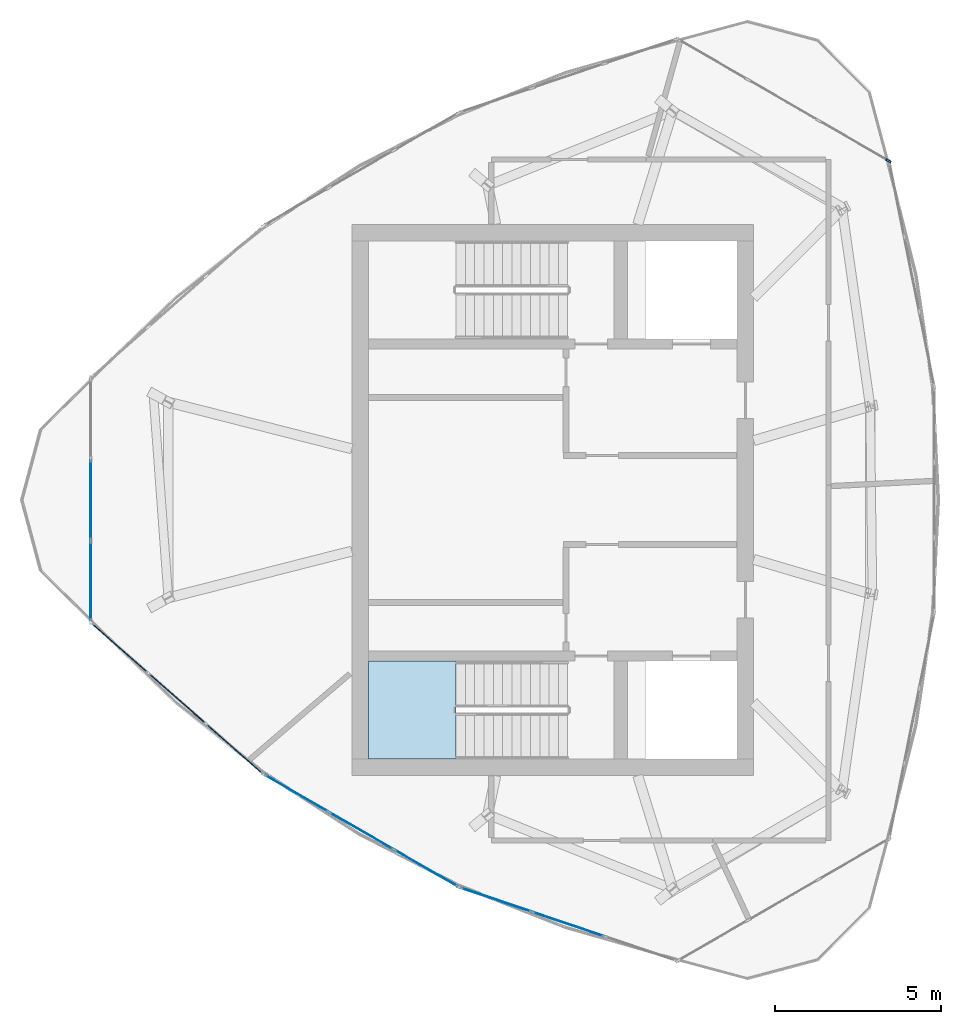
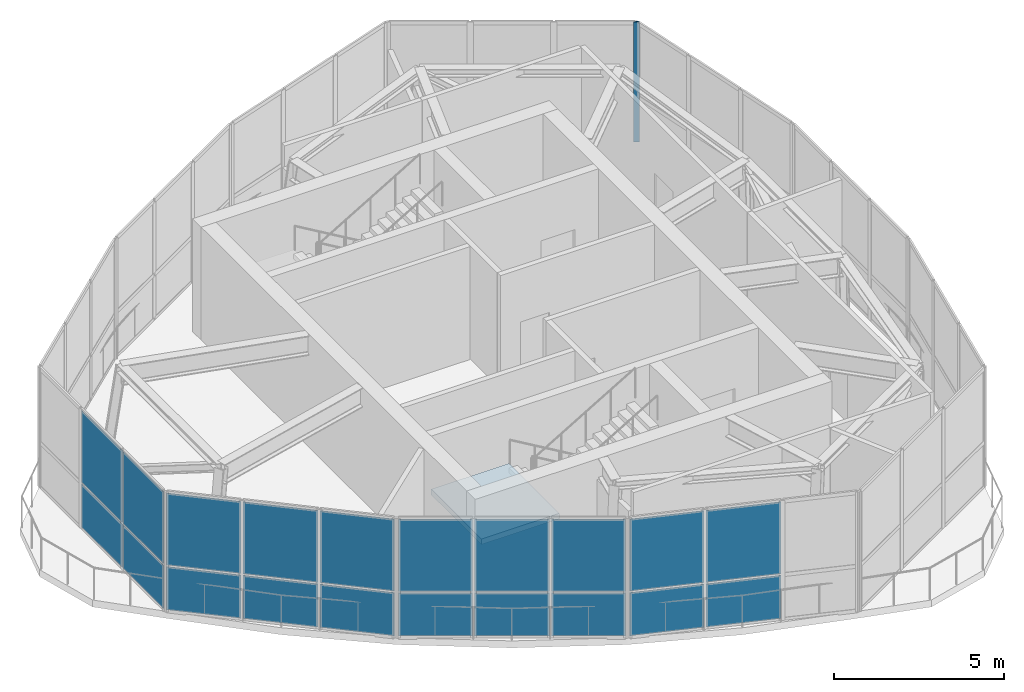
# One storey, part 5 of 10: 20 plates, 1 member, 1 slab, 6 elements without a shape of their own.
"""IFC4 building model written with IfcOpenShell, lengths in metres."""

from ifc_helpers import new_model, si_unit, direction, frame, origin, origin_2d, place, context, subcontext, project, spatial, polyline, rectangle, outline, extrude, source, transform, mapped, material, layer, layer_set, material_profile, profile_set, type_object, element, aggregate, save


model = new_model("IFC4")

# Units and contexts
model_context = context("Model", 3, precision=1e-05, world=origin(), true_north=direction((0.0, 1.0)))
body_context = subcontext(model_context, "Body", "Model", "MODEL_VIEW")
ifc_project = project(units=[si_unit("LENGTHUNIT", "METRE"), si_unit("AREAUNIT", "SQUARE_METRE"), si_unit("VOLUMEUNIT", "CUBIC_METRE"), si_unit("PLANEANGLEUNIT", "RADIAN"), si_unit("MASSUNIT", "GRAM", prefix="KILO")], contexts=[model_context])

# Site, building, storey
site_placement = place(None, origin())
site = spatial("IfcSite", under=ifc_project, at=site_placement, CompositionType="ELEMENT")
building_placement = place(site_placement, origin())
building = spatial("IfcBuilding", under=site, at=building_placement, Name="Qafzar Sky-Pleat Residences", CompositionType="ELEMENT")
storey_placement = place(building_placement, frame((0.0, 0.0, 270.39990234375)))
storey = spatial("IfcBuildingStorey", under=building, at=storey_placement, Name="L80 Crown", CompositionType="ELEMENT", Elevation=270.39990234375)

# Curtain wall, member
ifc_material_1 = material(Name="Anodised bronze aluminium framing", Category="aluminium")
ifc_layer_1 = layer(ifc_material_1, 0.179931640625)
ifc_layer_set_1 = layer_set([ifc_layer_1], Name="Anodised bronze aluminium framing")
curtain_wall_type = type_object("IfcCurtainWallType", Name="CW-SYS-06", PredefinedType="NOTDEFINED", material=ifc_layer_set_1)
curtain_wall_1_placement = place(storey_placement, origin())
curtain_wall_1 = element("IfcCurtainWall", 1, at=curtain_wall_1_placement, inside=storey, type_object=curtain_wall_type, Name="L80 Crown CW-06 Curtain Wall CW-CROWN-05-09", PredefinedType="NOTDEFINED")
ifc_material_2 = material(Name="Anodised bronze aluminium", Category="aluminium")
ifc_material_profile = material_profile(ifc_material_2, rectangle(XDim=0.06005859375, YDim=0.179931640625, at=origin_2d()), Name="ALU MULLION 60x180")
ifc_profile_set = profile_set([ifc_material_profile], Name="Anodised bronze aluminium")
member_type = type_object("IfcMemberType", Name="CWM-06", PredefinedType="MULLION", material=ifc_profile_set)
shared_shape_1 = source(origin(), body_context, "Body", "SweptSolid", [
    extrude(rectangle(XDim=0.06005859375, YDim=0.179931640625, at=origin_2d()), origin(), (0.0, 0.0, 1.0), 4.300048828125),
])
member_placement = place(storey_placement, frame((40.45458984375, 36.2119140625, 0.0), z_axis=(0.0, 0.0, 1.0), x_axis=(-0.500000537791, -0.86602509329, 0.0)))
member = element("IfcMember", 2, at=member_placement, type_object=member_type, Name="CW-06 mullion 1", PredefinedType="MULLION", context=body_context, shape_type="MappedRepresentation", body=[
    mapped(shared_shape_1, transform((0.0, 0.0, 0.0), x_axis=(1.0, 0.0, 0.0), y_axis=(0.0, 1.0, 0.0), z_axis=(0.0, 0.0, 1.0), scale=1.0)),
])
aggregate(curtain_wall_1, [member])

# Stair, slab
ifc_material_3 = material(Name="Concrete C40/50", Category="concrete")
stair_type = type_object("IfcStairType", Name="STAIR-H430", PredefinedType="HALF_TURN_STAIR", material=ifc_material_3)
stair_placement = place(storey_placement, origin())
stair = element("IfcStair", 3, at=stair_placement, inside=storey, type_object=stair_type, Name="L80 Crown Protected Exit Stair ST1", PredefinedType="HALF_TURN_STAIR")
ifc_layer_2 = layer(ifc_material_3, 0.199951171875)
ifc_layer_set_2 = layer_set([ifc_layer_2], Name="Concrete C40/50")
slab_type = type_object("IfcSlabType", Name="SLAB-LANDING-200", PredefinedType="LANDING", material=ifc_layer_set_2)
slab_placement = place(storey_placement, frame((0.0, 0.0, 1.9501953125)))
slab = element("IfcSlab", 4, at=slab_placement, type_object=slab_type, Name="ST1 landing 1", PredefinedType="LANDING", context=body_context, shape_type="SweptSolid", body=[
    extrude(outline(polyline([(27.43994140625, 21.14990234375), (24.800048828125, 21.14990234375), (24.800048828125, 18.199951171875), (27.43994140625, 18.199951171875), (27.43994140625, 21.14990234375)])), origin(), (0.0, 0.0, 1.0), 0.199951171875),
])
aggregate(stair, [slab])

# Curtain wall, plates
curtain_wall_2_placement = place(storey_placement, origin())
curtain_wall_2 = element("IfcCurtainWall", 5, at=curtain_wall_2_placement, inside=storey, type_object=curtain_wall_type, Name="L80 Crown CW-06 Curtain Wall CW-CROWN-05-01", PredefinedType="NOTDEFINED")
ifc_material_4 = material(Name="Solar-control double low-E glazing", Category="glass")
ifc_layer_3 = layer(ifc_material_4, 0.02587890625)
ifc_layer_set_3 = layer_set([ifc_layer_3], Name="Solar-control double low-E glazing")
plate_type = type_object("IfcPlateType", Name="CWP-06", PredefinedType="CURTAIN_PANEL", material=ifc_layer_set_3)
shared_shape_2 = source(origin(), body_context, "Body", "SweptSolid", [
    extrude(rectangle(XDim=2.36572265625, YDim=0.02587890625, at=origin_2d()), origin(), (0.0, 0.0, 1.0), 1.5439453125),
])
plate_1_placement = place(storey_placement, frame((16.438720703125, 23.559326171875, 0.06005859375), z_axis=(0.0, 0.0, 1.0), x_axis=(0.0, -1.0, 0.0)))
plate_1 = element("IfcPlate", 6, at=plate_1_placement, type_object=plate_type, Name="CW-06 panel 3.1", PredefinedType="CURTAIN_PANEL", context=body_context, shape_type="MappedRepresentation", body=[
    mapped(shared_shape_2, transform((0.0, 0.0, 0.0), x_axis=(1.0, 0.0, 0.0), y_axis=(0.0, 1.0, 0.0), z_axis=(0.0, 0.0, 1.0), scale=1.0)),
])
shared_shape_3 = source(origin(), body_context, "Body", "SweptSolid", [
    extrude(rectangle(XDim=2.36572265625, YDim=0.02587890625, at=origin_2d()), origin(), (0.0, 0.0, 1.0), 2.575927734375),
])
plate_2_placement = place(storey_placement, frame((16.438720703125, 23.559326171875, 1.6640625), z_axis=(0.0, 0.0, 1.0), x_axis=(0.0, -1.0, 0.0)))
plate_2 = element("IfcPlate", 7, at=plate_2_placement, type_object=plate_type, Name="CW-06 panel 3.2", PredefinedType="CURTAIN_PANEL", context=body_context, shape_type="MappedRepresentation", body=[
    mapped(shared_shape_3, transform((0.0, 0.0, 0.0), x_axis=(1.0, 0.0, 0.0), y_axis=(0.0, 1.0, 0.0), z_axis=(0.0, 0.0, 1.0), scale=1.0)),
])
shared_shape_4 = source(origin(), body_context, "Body", "SweptSolid", [
    extrude(rectangle(XDim=2.395751953125, YDim=0.02587890625, at=origin_2d()), origin(), (0.0, 0.0, 1.0), 1.5439453125),
])
plate_3_placement = place(storey_placement, frame((16.438720703125, 26.0, 0.06005859375), z_axis=(0.0, 0.0, 1.0), x_axis=(0.0, -1.0, 0.0)))
plate_3 = element("IfcPlate", 8, at=plate_3_placement, type_object=plate_type, Name="CW-06 panel 2.1", PredefinedType="CURTAIN_PANEL", context=body_context, shape_type="MappedRepresentation", body=[
    mapped(shared_shape_4, transform((0.0, 0.0, 0.0), x_axis=(1.0, 0.0, 0.0), y_axis=(0.0, 1.0, 0.0), z_axis=(0.0, 0.0, 1.0), scale=1.0)),
])
shared_shape_5 = source(origin(), body_context, "Body", "SweptSolid", [
    extrude(rectangle(XDim=2.395751953125, YDim=0.02587890625, at=origin_2d()), origin(), (0.0, 0.0, 1.0), 2.575927734375),
])
plate_4_placement = place(storey_placement, frame((16.438720703125, 26.0, 1.6640625), z_axis=(0.0, 0.0, 1.0), x_axis=(0.0, -1.0, 0.0)))
plate_4 = element("IfcPlate", 9, at=plate_4_placement, type_object=plate_type, Name="CW-06 panel 2.2", PredefinedType="CURTAIN_PANEL", context=body_context, shape_type="MappedRepresentation", body=[
    mapped(shared_shape_5, transform((0.0, 0.0, 0.0), x_axis=(1.0, 0.0, 0.0), y_axis=(0.0, 1.0, 0.0), z_axis=(0.0, 0.0, 1.0), scale=1.0)),
])
aggregate(curtain_wall_2, [plate_3, plate_4, plate_1, plate_2])

curtain_wall_3_placement = place(storey_placement, origin())
curtain_wall_3 = element("IfcCurtainWall", 10, at=curtain_wall_3_placement, inside=storey, type_object=curtain_wall_type, Name="L80 Crown CW-06 Curtain Wall CW-CROWN-05-02", PredefinedType="NOTDEFINED")
shared_shape_6 = source(origin(), body_context, "Body", "SweptSolid", [
    extrude(rectangle(XDim=2.220947265625, YDim=0.02587890625, at=origin_2d()), origin(), (0.0, 0.0, 1.0), 1.5439453125),
])
plate_5_placement = place(storey_placement, frame((17.31787109375, 21.5439453125, 0.06005859375), z_axis=(0.0, 0.0, 1.0), x_axis=(0.751149726497, -0.660131871965, 0.0)))
plate_5 = element("IfcPlate", 11, at=plate_5_placement, type_object=plate_type, Name="CW-06 panel 1.1", PredefinedType="CURTAIN_PANEL", context=body_context, shape_type="MappedRepresentation", body=[
    mapped(shared_shape_6, transform((0.0, 0.0, 0.0), x_axis=(1.0, 0.0, 0.0), y_axis=(0.0, 1.0, 0.0), z_axis=(0.0, 0.0, 1.0), scale=1.0)),
])
plate_6_placement = place(storey_placement, frame((20.76708984375, 18.5126953125, 0.06005859375), z_axis=(0.0, 0.0, 1.0), x_axis=(0.751149726497, -0.660131871965, 0.0)))
plate_6 = element("IfcPlate", 12, at=plate_6_placement, type_object=plate_type, Name="CW-06 panel 3.1", PredefinedType="CURTAIN_PANEL", context=body_context, shape_type="MappedRepresentation", body=[
    mapped(shared_shape_6, transform((0.0, 0.0, 0.0), x_axis=(1.0, 0.0, 0.0), y_axis=(0.0, 1.0, 0.0), z_axis=(0.0, 0.0, 1.0), scale=1.0)),
])

# Curtain wall, plate
curtain_wall_4_placement = place(storey_placement, origin())
curtain_wall_4 = element("IfcCurtainWall", 13, at=curtain_wall_4_placement, inside=storey, type_object=curtain_wall_type, Name="L80 Crown CW-06 Curtain Wall CW-CROWN-05-04", PredefinedType="NOTDEFINED")
plate_7_placement = place(storey_placement, frame((28.642333984375, 13.966064453125, 0.06005859375), z_axis=(0.0, 0.0, 1.0), x_axis=(0.947268992324, -0.320439473508, 0.0)))
plate_7 = element("IfcPlate", 14, at=plate_7_placement, type_object=plate_type, Name="CW-06 panel 1.1", PredefinedType="CURTAIN_PANEL", context=body_context, shape_type="MappedRepresentation", body=[
    mapped(shared_shape_6, transform((0.0, 0.0, 0.0), x_axis=(1.0, 0.0, 0.0), y_axis=(0.0, 1.0, 0.0), z_axis=(0.0, 0.0, 1.0), scale=1.0)),
])

# Plate
shared_shape_7 = source(origin(), body_context, "Body", "SweptSolid", [
    extrude(rectangle(XDim=2.220947265625, YDim=0.02587890625, at=origin_2d()), origin(), (0.0, 0.0, 1.0), 2.575927734375),
])
plate_8_placement = place(storey_placement, frame((17.31787109375, 21.5439453125, 1.6640625), z_axis=(0.0, 0.0, 1.0), x_axis=(0.751149726497, -0.660131871965, 0.0)))
plate_8 = element("IfcPlate", 15, at=plate_8_placement, type_object=plate_type, Name="CW-06 panel 1.2", PredefinedType="CURTAIN_PANEL", context=body_context, shape_type="MappedRepresentation", body=[
    mapped(shared_shape_7, transform((0.0, 0.0, 0.0), x_axis=(1.0, 0.0, 0.0), y_axis=(0.0, 1.0, 0.0), z_axis=(0.0, 0.0, 1.0), scale=1.0)),
])

plate_9_placement = place(storey_placement, frame((20.76708984375, 18.5126953125, 1.6640625), z_axis=(0.0, 0.0, 1.0), x_axis=(0.751149726497, -0.660131871965, 0.0)))
plate_9 = element("IfcPlate", 16, at=plate_9_placement, type_object=plate_type, Name="CW-06 panel 3.2", PredefinedType="CURTAIN_PANEL", context=body_context, shape_type="MappedRepresentation", body=[
    mapped(shared_shape_7, transform((0.0, 0.0, 0.0), x_axis=(1.0, 0.0, 0.0), y_axis=(0.0, 1.0, 0.0), z_axis=(0.0, 0.0, 1.0), scale=1.0)),
])

plate_10_placement = place(storey_placement, frame((28.642333984375, 13.966064453125, 1.6640625), z_axis=(0.0, 0.0, 1.0), x_axis=(0.947268992324, -0.320439473508, 0.0)))
plate_10 = element("IfcPlate", 17, at=plate_10_placement, type_object=plate_type, Name="CW-06 panel 1.2", PredefinedType="CURTAIN_PANEL", context=body_context, shape_type="MappedRepresentation", body=[
    mapped(shared_shape_7, transform((0.0, 0.0, 0.0), x_axis=(1.0, 0.0, 0.0), y_axis=(0.0, 1.0, 0.0), z_axis=(0.0, 0.0, 1.0), scale=1.0)),
])

shared_shape_8 = source(origin(), body_context, "Body", "SweptSolid", [
    extrude(rectangle(XDim=2.2509765625, YDim=0.02587890625, at=origin_2d()), origin(), (0.0, 0.0, 1.0), 1.5439453125),
])
plate_11_placement = place(storey_placement, frame((19.04248046875, 20.0283203125, 0.06005859375), z_axis=(0.0, 0.0, 1.0), x_axis=(0.751149726497, -0.660131871965, 0.0)))
plate_11 = element("IfcPlate", 18, at=plate_11_placement, type_object=plate_type, Name="CW-06 panel 2.1", PredefinedType="CURTAIN_PANEL", context=body_context, shape_type="MappedRepresentation", body=[
    mapped(shared_shape_8, transform((0.0, 0.0, 0.0), x_axis=(1.0, 0.0, 0.0), y_axis=(0.0, 1.0, 0.0), z_axis=(0.0, 0.0, 1.0), scale=1.0)),
])

plate_12_placement = place(storey_placement, frame((30.817138671875, 13.230224609375, 0.06005859375), z_axis=(0.0, 0.0, 1.0), x_axis=(0.947268992324, -0.320439473508, 0.0)))
plate_12 = element("IfcPlate", 19, at=plate_12_placement, type_object=plate_type, Name="CW-06 panel 2.1", PredefinedType="CURTAIN_PANEL", context=body_context, shape_type="MappedRepresentation", body=[
    mapped(shared_shape_8, transform((0.0, 0.0, 0.0), x_axis=(1.0, 0.0, 0.0), y_axis=(0.0, 1.0, 0.0), z_axis=(0.0, 0.0, 1.0), scale=1.0)),
])

shared_shape_9 = source(origin(), body_context, "Body", "SweptSolid", [
    extrude(rectangle(XDim=2.2509765625, YDim=0.02587890625, at=origin_2d()), origin(), (0.0, 0.0, 1.0), 2.575927734375),
])
plate_13_placement = place(storey_placement, frame((19.04248046875, 20.0283203125, 1.6640625), z_axis=(0.0, 0.0, 1.0), x_axis=(0.751149726497, -0.660131871965, 0.0)))
plate_13 = element("IfcPlate", 20, at=plate_13_placement, type_object=plate_type, Name="CW-06 panel 2.2", PredefinedType="CURTAIN_PANEL", context=body_context, shape_type="MappedRepresentation", body=[
    mapped(shared_shape_9, transform((0.0, 0.0, 0.0), x_axis=(1.0, 0.0, 0.0), y_axis=(0.0, 1.0, 0.0), z_axis=(0.0, 0.0, 1.0), scale=1.0)),
])

aggregate(curtain_wall_3, [plate_5, plate_8, plate_11, plate_13, plate_6, plate_9])

plate_14_placement = place(storey_placement, frame((30.817138671875, 13.230224609375, 1.6640625), z_axis=(0.0, 0.0, 1.0), x_axis=(0.947268992324, -0.320439473508, 0.0)))
plate_14 = element("IfcPlate", 21, at=plate_14_placement, type_object=plate_type, Name="CW-06 panel 2.2", PredefinedType="CURTAIN_PANEL", context=body_context, shape_type="MappedRepresentation", body=[
    mapped(shared_shape_9, transform((0.0, 0.0, 0.0), x_axis=(1.0, 0.0, 0.0), y_axis=(0.0, 1.0, 0.0), z_axis=(0.0, 0.0, 1.0), scale=1.0)),
])

aggregate(curtain_wall_4, [plate_7, plate_10, plate_12, plate_14])

# Curtain wall, plates
curtain_wall_5_placement = place(storey_placement, origin())
curtain_wall_5 = element("IfcCurtainWall", 22, at=curtain_wall_5_placement, inside=storey, type_object=curtain_wall_type, Name="L80 Crown CW-06 Curtain Wall CW-CROWN-05-03", PredefinedType="NOTDEFINED")
shared_shape_10 = source(origin(), body_context, "Body", "SweptSolid", [
    extrude(rectangle(XDim=2.176025390625, YDim=0.02587890625, at=origin_2d()), origin(), (0.0, 0.0, 1.0), 1.5439453125),
])
plate_15_placement = place(storey_placement, frame((22.640380859375, 17.166015625, 0.06005859375), z_axis=(0.0, 0.0, 1.0), x_axis=(0.866023907196, -0.500002592159, 0.0)))
plate_15 = element("IfcPlate", 23, at=plate_15_placement, type_object=plate_type, Name="CW-06 panel 1.1", PredefinedType="CURTAIN_PANEL", context=body_context, shape_type="MappedRepresentation", body=[
    mapped(shared_shape_10, transform((0.0, 0.0, 0.0), x_axis=(1.0, 0.0, 0.0), y_axis=(0.0, 1.0, 0.0), z_axis=(0.0, 0.0, 1.0), scale=1.0)),
])
plate_16_placement = place(storey_placement, frame((26.539306640625, 14.9150390625, 0.06005859375), z_axis=(0.0, 0.0, 1.0), x_axis=(0.866023907196, -0.500002592159, 0.0)))
plate_16 = element("IfcPlate", 24, at=plate_16_placement, type_object=plate_type, Name="CW-06 panel 3.1", PredefinedType="CURTAIN_PANEL", context=body_context, shape_type="MappedRepresentation", body=[
    mapped(shared_shape_10, transform((0.0, 0.0, 0.0), x_axis=(1.0, 0.0, 0.0), y_axis=(0.0, 1.0, 0.0), z_axis=(0.0, 0.0, 1.0), scale=1.0)),
])
shared_shape_11 = source(origin(), body_context, "Body", "SweptSolid", [
    extrude(rectangle(XDim=2.176025390625, YDim=0.02587890625, at=origin_2d()), origin(), (0.0, 0.0, 1.0), 2.575927734375),
])
plate_17_placement = place(storey_placement, frame((22.640380859375, 17.166015625, 1.6640625), z_axis=(0.0, 0.0, 1.0), x_axis=(0.866023907196, -0.500002592159, 0.0)))
plate_17 = element("IfcPlate", 25, at=plate_17_placement, type_object=plate_type, Name="CW-06 panel 1.2", PredefinedType="CURTAIN_PANEL", context=body_context, shape_type="MappedRepresentation", body=[
    mapped(shared_shape_11, transform((0.0, 0.0, 0.0), x_axis=(1.0, 0.0, 0.0), y_axis=(0.0, 1.0, 0.0), z_axis=(0.0, 0.0, 1.0), scale=1.0)),
])
plate_18_placement = place(storey_placement, frame((26.539306640625, 14.9150390625, 1.6640625), z_axis=(0.0, 0.0, 1.0), x_axis=(0.866023907196, -0.500002592159, 0.0)))
plate_18 = element("IfcPlate", 26, at=plate_18_placement, type_object=plate_type, Name="CW-06 panel 3.2", PredefinedType="CURTAIN_PANEL", context=body_context, shape_type="MappedRepresentation", body=[
    mapped(shared_shape_11, transform((0.0, 0.0, 0.0), x_axis=(1.0, 0.0, 0.0), y_axis=(0.0, 1.0, 0.0), z_axis=(0.0, 0.0, 1.0), scale=1.0)),
])
shared_shape_12 = source(origin(), body_context, "Body", "SweptSolid", [
    extrude(rectangle(XDim=2.2060546875, YDim=0.02587890625, at=origin_2d()), origin(), (0.0, 0.0, 1.0), 1.5439453125),
])
plate_19_placement = place(storey_placement, frame((24.58984375, 16.04052734375, 0.06005859375), z_axis=(0.0, 0.0, 1.0), x_axis=(0.866023907196, -0.500002592159, 0.0)))
plate_19 = element("IfcPlate", 27, at=plate_19_placement, type_object=plate_type, Name="CW-06 panel 2.1", PredefinedType="CURTAIN_PANEL", context=body_context, shape_type="MappedRepresentation", body=[
    mapped(shared_shape_12, transform((0.0, 0.0, 0.0), x_axis=(1.0, 0.0, 0.0), y_axis=(0.0, 1.0, 0.0), z_axis=(0.0, 0.0, 1.0), scale=1.0)),
])
shared_shape_13 = source(origin(), body_context, "Body", "SweptSolid", [
    extrude(rectangle(XDim=2.2060546875, YDim=0.02587890625, at=origin_2d()), origin(), (0.0, 0.0, 1.0), 2.575927734375),
])
plate_20_placement = place(storey_placement, frame((24.58984375, 16.04052734375, 1.6640625), z_axis=(0.0, 0.0, 1.0), x_axis=(0.866023907196, -0.500002592159, 0.0)))
plate_20 = element("IfcPlate", 28, at=plate_20_placement, type_object=plate_type, Name="CW-06 panel 2.2", PredefinedType="CURTAIN_PANEL", context=body_context, shape_type="MappedRepresentation", body=[
    mapped(shared_shape_13, transform((0.0, 0.0, 0.0), x_axis=(1.0, 0.0, 0.0), y_axis=(0.0, 1.0, 0.0), z_axis=(0.0, 0.0, 1.0), scale=1.0)),
])
aggregate(curtain_wall_5, [plate_15, plate_17, plate_19, plate_20, plate_16, plate_18])

save(model, "model.ifc")
